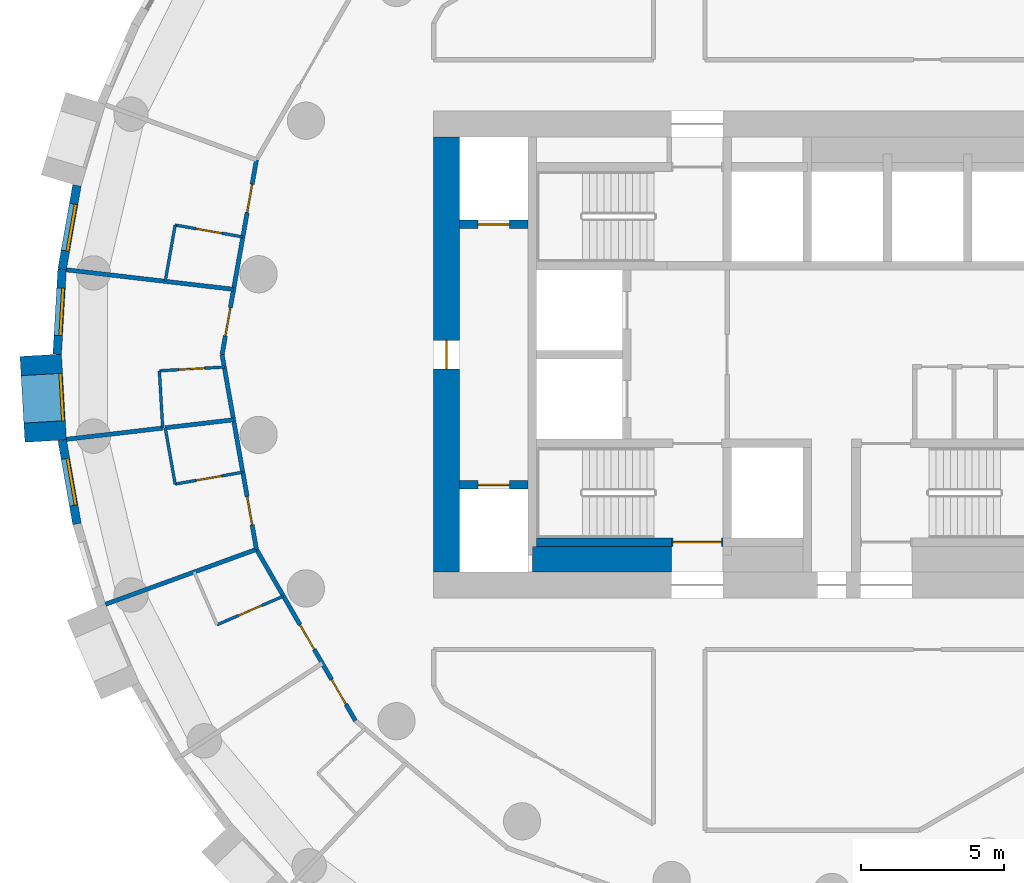
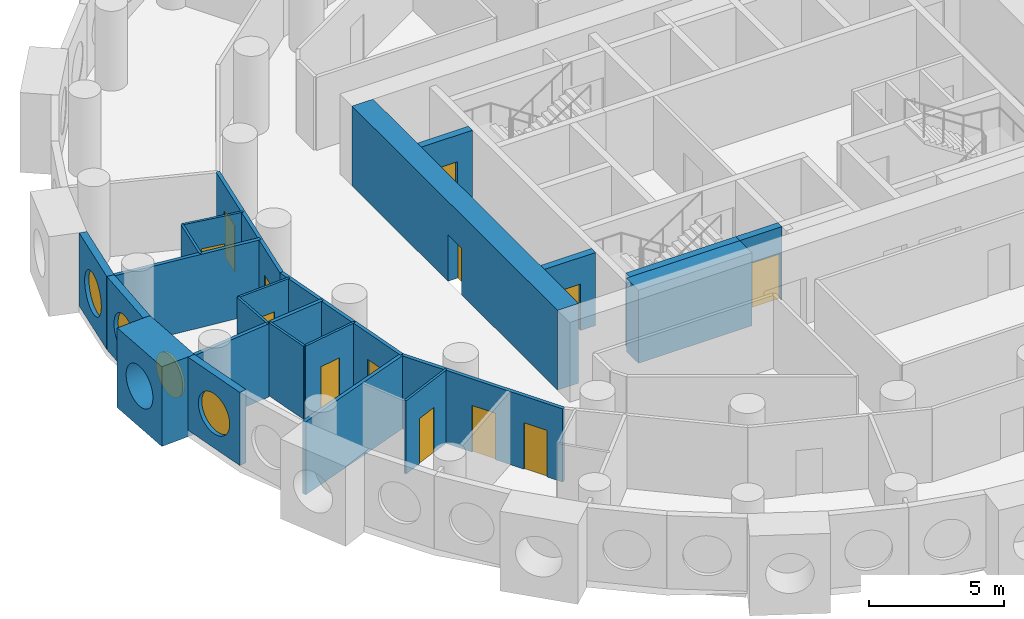
# One storey, part 3 of 9: 25 walls, 13 doors, 4 windows, 17 openings.
"""IFC4 building model written with IfcOpenShell, lengths in metres."""

from ifc_helpers import new_model, si_unit, direction, frame, frame_2d, origin, origin_2d, place, context, subcontext, project, spatial, rectangle, circle, extrude, material, layer, layer_set, type_object, element, fill, save


model = new_model("IFC4")

# Units and contexts
model_context = context("Model", 3, precision=1e-05, world=origin(), true_north=direction((0.0, 1.0)))
body_context = subcontext(model_context, "Body", "Model", "MODEL_VIEW")
ifc_project = project(units=[si_unit("LENGTHUNIT", "METRE"), si_unit("AREAUNIT", "SQUARE_METRE"), si_unit("VOLUMEUNIT", "CUBIC_METRE"), si_unit("PLANEANGLEUNIT", "RADIAN"), si_unit("MASSUNIT", "GRAM", prefix="KILO")], contexts=[model_context])

# Site, building, storey
site_placement = place(None, origin())
site = spatial("IfcSite", under=ifc_project, at=site_placement, CompositionType="ELEMENT")
building_placement = place(site_placement, origin())
building = spatial("IfcBuilding", under=site, at=building_placement, Name="Tracery Tower", CompositionType="ELEMENT")
storey_placement = place(building_placement, frame((0.0, 0.0, 201.60009765625)))
storey = spatial("IfcBuildingStorey", under=building, at=storey_placement, Name="L52", CompositionType="ELEMENT", Elevation=201.60009765625)

# Wall
ifc_material_1 = material(Name="Concrete C50/60", Category="concrete")
ifc_layer_1 = layer(ifc_material_1, 0.89990234375)
ifc_layer_set_1 = layer_set([ifc_layer_1], Name="Core strip wall 900 C50")
wall_type_1 = type_object("IfcWallType", Name="Core strip wall 900 C50", PredefinedType="SOLIDWALL", material=ifc_layer_set_1)
wall_1_placement = place(storey_placement, frame((-9.050048828125, -7.14990234375, 0.0), z_axis=(0.0, 0.0, 1.0), x_axis=(1.0, 0.0, 0.0)))
element("IfcWall", 1, at=wall_1_placement, inside=storey, type_object=wall_type_1, Name="L52 F thick S W", PredefinedType="SOLIDWALL", context=body_context, shape_type="SweptSolid", body=[
    extrude(rectangle(XDim=4.85009765625, YDim=0.89990234375, at=frame_2d((2.425048828125, 0.0))), origin(), (0.0, 0.0, 1.0), 3.2998046875),
])

# Wall, opening, door
ifc_material_2 = material(Name="Concrete C50/60", Category="concrete")
ifc_layer_2 = layer(ifc_material_2, 0.89990234375)
ifc_layer_set_2 = layer_set([ifc_layer_2], Name="Core wall 900 C50")
wall_type_2 = type_object("IfcWallType", Name="Core wall 900 C50", PredefinedType="SOLIDWALL", material=ifc_layer_set_2)
wall_2_placement = place(storey_placement, frame((-12.050048828125, -7.60009765625, 0.0), z_axis=(0.0, 0.0, 1.0), x_axis=(0.0, 1.0, 0.0)))
wall_2 = element("IfcWall", 2, at=wall_2_placement, inside=storey, type_object=wall_type_2, Name="L52 outer W", PredefinedType="SOLIDWALL", context=body_context, shape_type="SweptSolid", body=[
    extrude(rectangle(XDim=15.2001953125, YDim=0.89990234375, at=frame_2d((7.60009765625, 0.0))), origin(), (0.0, 0.0, 1.0), 3.599853515625),
])
opening_1_placement = place(wall_2_placement, frame((7.10009765625, 0.0, 0.0)))
opening_1 = element("IfcOpeningElement", 3, at=opening_1_placement, cuts=wall_2, Name="Opening KD18", PredefinedType="OPENING", context=body_context, shape_type="SweptSolid", body=[
    extrude(rectangle(XDim=1.0, YDim=2.10009765625, at=frame_2d((0.5, 1.050048828125))), frame((0.0, 0.449951171875, 0.0), z_axis=(0.0, -1.0, 0.0), x_axis=(1.0, 0.0, 0.0)), (0.0, 0.0, 1.0), 0.89990234375),
])
ifc_material_3 = material(Name="Steel fire door", Category="steel")
door_type_1 = type_object("IfcDoorType", Name="Core exit door 1000", OperationType="NOTDEFINED", PredefinedType="DOOR", material=ifc_material_3)
door_1_placement = place(opening_1_placement, origin())
door_1 = element("IfcDoor", 4, at=door_1_placement, inside=storey, type_object=door_type_1, Name="Core exit door", OperationType="DOUBLE_DOOR_SINGLE_SWING", OverallHeight=2.10009765625, OverallWidth=1.0, PredefinedType="DOOR", context=body_context, shape_type="SweptSolid", body=[
    extrude(rectangle(XDim=1.0, YDim=2.10009765625, at=frame_2d((0.5, 1.050048828125))), frame((0.0, 0.02490234375, 0.0), z_axis=(0.0, -1.0, 0.0), x_axis=(1.0, 0.0, 0.0)), (0.0, 0.0, 1.0), 0.050048828125),
])
fill(opening_1, door_1)

# Wall, opening, window
ifc_material_4 = material(Name="Precast concrete C50/60", Category="concrete")
ifc_layer_3 = layer(ifc_material_4, 1.449951171875)
ifc_layer_set_3 = layer_set([ifc_layer_3], Name="Deep-set bay unit 3000 x 3600, slab edge 300")
wall_type_3 = type_object("IfcWallType", Name="Deep-set bay unit 3000 x 3600, slab edge 300", PredefinedType="ELEMENTEDWALL", material=ifc_layer_set_3)
wall_3_placement = place(storey_placement, frame((-26.221923828125, -0.024658203125, -0.300048828125), z_axis=(0.0, 0.0, 1.0), x_axis=(0.058106596105, -0.998310384344, 0.0)))
wall_3 = element("IfcWall", 5, at=wall_3_placement, inside=storey, type_object=wall_type_3, Name="Deep-set bay unit 28 at L52", PredefinedType="ELEMENTEDWALL", context=body_context, shape_type="SweptSolid", body=[
    extrude(rectangle(XDim=3.0, YDim=1.449951171875, at=frame_2d((1.5, 0.0))), origin(), (0.0, 0.0, 1.0), 3.599853515625),
])
opening_2_placement = place(wall_3_placement, frame((1.5, 0.0, 1.85009765625)))
opening_2 = element("IfcOpeningElement", 6, at=opening_2_placement, cuts=wall_3, Name="Opening WN1", PredefinedType="OPENING", context=body_context, shape_type="SweptSolid", body=[
    extrude(circle(Radius=0.9000244140625, at=origin_2d()), frame((0.0, 0.73486328125, 0.0), z_axis=(0.0, -1.0, 0.0), x_axis=(1.0, 0.0, 0.0)), (0.0, 0.0, 1.0), 1.469970703125),
])
ifc_material_5 = material(Name="Aluminium frame with tinted double glazing", Category="aluminium")
window_type = type_object("IfcWindowType", Name="Round window 1800", PartitioningType="SINGLE_PANEL", PredefinedType="WINDOW", material=ifc_material_5)
window_1_placement = place(opening_2_placement, origin())
window_1 = element("IfcWindow", 7, at=window_1_placement, inside=storey, type_object=window_type, Name="Round window 28 at L52", OverallHeight=1.800048828125, OverallWidth=1.800048828125, PartitioningType="SINGLE_PANEL", PredefinedType="WINDOW", context=body_context, shape_type="SweptSolid", body=[
    extrude(circle(Radius=0.9000244140625, at=origin_2d()), frame((0.0, 0.69482421875, 0.0), z_axis=(0.0, -1.0, 0.0), x_axis=(1.0, 0.0, 0.0)), (0.0, 0.0, 1.0), 0.10009765625),
])
fill(opening_2, window_1)

ifc_material_6 = material(Name="Precast concrete C50/60", Category="concrete")
ifc_layer_4 = layer(ifc_material_6, 0.300048828125)
ifc_layer_set_4 = layer_set([ifc_layer_4], Name="Facade panel 3000 x 3300")
wall_type_4 = type_object("IfcWallType", Name="Facade panel 3000 x 3300", PredefinedType="SOLIDWALL", material=ifc_layer_set_4)
wall_4_placement = place(storey_placement, frame((-24.957763671875, 5.9052734375, 0.0), z_axis=(0.0, 0.0, 1.0), x_axis=(-0.173686952598, -0.984800915159, 0.0)))
wall_4 = element("IfcWall", 8, at=wall_4_placement, inside=storey, type_object=wall_type_4, Name="Facade panel 26 at L52", PredefinedType="SOLIDWALL", context=body_context, shape_type="SweptSolid", body=[
    extrude(rectangle(XDim=2.972900390625, YDim=0.300048828125, at=frame_2d((1.486328125, 0.0))), origin(), (0.0, 0.0, 1.0), 3.2998046875),
])
opening_3_placement = place(wall_4_placement, frame((1.486328125, 0.0, 1.5498046875)))
opening_3 = element("IfcOpeningElement", 9, at=opening_3_placement, cuts=wall_4, Name="Opening WN1", PredefinedType="OPENING", context=body_context, shape_type="SweptSolid", body=[
    extrude(circle(Radius=0.9000244140625, at=origin_2d()), frame((0.0, 0.159912109375, 0.0), z_axis=(0.0, -1.0, 0.0), x_axis=(1.0, 0.0, 0.0)), (0.0, 0.0, 1.0), 0.320068359375),
])
window_2_placement = place(opening_3_placement, origin())
window_2 = element("IfcWindow", 10, at=window_2_placement, inside=storey, type_object=window_type, Name="Round window 26 at L52", OverallHeight=1.800048828125, OverallWidth=1.800048828125, PartitioningType="SINGLE_PANEL", PredefinedType="WINDOW", context=body_context, shape_type="SweptSolid", body=[
    extrude(circle(Radius=0.9000244140625, at=origin_2d()), frame((0.0, 0.1201171875, 0.0), z_axis=(0.0, -1.0, 0.0), x_axis=(1.0, 0.0, 0.0)), (0.0, 0.0, 1.0), 0.10009765625),
])
fill(opening_3, window_2)

wall_5_placement = place(storey_placement, frame((-25.47412109375, 2.9775390625, 0.0), z_axis=(0.0, 0.0, 1.0), x_axis=(-0.058139540521, -0.998308466271, 0.0)))
wall_5 = element("IfcWall", 11, at=wall_5_placement, inside=storey, type_object=wall_type_4, Name="Facade panel 27 at L52", PredefinedType="SOLIDWALL", context=body_context, shape_type="SweptSolid", body=[
    extrude(rectangle(XDim=2.97314453125, YDim=0.300048828125, at=frame_2d((1.486572265625, 0.0))), origin(), (0.0, 0.0, 1.0), 3.2998046875),
])
opening_4_placement = place(wall_5_placement, frame((1.486328125, 0.0, 1.5498046875)))
opening_4 = element("IfcOpeningElement", 12, at=opening_4_placement, cuts=wall_5, Name="Opening WN1", PredefinedType="OPENING", context=body_context, shape_type="SweptSolid", body=[
    extrude(circle(Radius=0.9000244140625, at=origin_2d()), frame((0.0, 0.159912109375, 0.0), z_axis=(0.0, -1.0, 0.0), x_axis=(1.0, 0.0, 0.0)), (0.0, 0.0, 1.0), 0.320068359375),
])
window_3_placement = place(opening_4_placement, origin())
window_3 = element("IfcWindow", 13, at=window_3_placement, inside=storey, type_object=window_type, Name="Round window 27 at L52", OverallHeight=1.800048828125, OverallWidth=1.800048828125, PartitioningType="SINGLE_PANEL", PredefinedType="WINDOW", context=body_context, shape_type="SweptSolid", body=[
    extrude(circle(Radius=0.9000244140625, at=origin_2d()), frame((0.0, 0.1201171875, 0.0), z_axis=(0.0, -1.0, 0.0), x_axis=(1.0, 0.0, 0.0)), (0.0, 0.0, 1.0), 0.10009765625),
])
fill(opening_4, window_3)

wall_6_placement = place(storey_placement, frame((-25.472412109375, -2.987060546875, 0.0), z_axis=(0.0, 0.0, 1.0), x_axis=(0.173686952598, -0.984800915159, 0.0)))
wall_6 = element("IfcWall", 14, at=wall_6_placement, inside=storey, type_object=wall_type_4, Name="Facade panel 29 at L52", PredefinedType="SOLIDWALL", context=body_context, shape_type="SweptSolid", body=[
    extrude(rectangle(XDim=2.972900390625, YDim=0.300048828125, at=frame_2d((1.486328125, 0.0))), origin(), (0.0, 0.0, 1.0), 3.2998046875),
])
opening_5_placement = place(wall_6_placement, frame((1.486328125, 0.0, 1.5498046875)))
opening_5 = element("IfcOpeningElement", 15, at=opening_5_placement, cuts=wall_6, Name="Opening WN1", PredefinedType="OPENING", context=body_context, shape_type="SweptSolid", body=[
    extrude(circle(Radius=0.9000244140625, at=origin_2d()), frame((0.0, 0.159912109375, 0.0), z_axis=(0.0, -1.0, 0.0), x_axis=(1.0, 0.0, 0.0)), (0.0, 0.0, 1.0), 0.320068359375),
])
window_4_placement = place(opening_5_placement, origin())
window_4 = element("IfcWindow", 16, at=window_4_placement, inside=storey, type_object=window_type, Name="Round window 29 at L52", OverallHeight=1.800048828125, OverallWidth=1.800048828125, PartitioningType="SINGLE_PANEL", PredefinedType="WINDOW", context=body_context, shape_type="SweptSolid", body=[
    extrude(circle(Radius=0.9000244140625, at=origin_2d()), frame((0.0, 0.1201171875, 0.0), z_axis=(0.0, -1.0, 0.0), x_axis=(1.0, 0.0, 0.0)), (0.0, 0.0, 1.0), 0.10009765625),
])
fill(opening_5, window_4)

# Wall, opening, door
ifc_material_7 = material(Name="Plasterboard on steel studs", Category="steel")
ifc_layer_5 = layer(ifc_material_7, 0.10009765625)
ifc_layer_set_5 = layer_set([ifc_layer_5], Name="Partition 100 wet wall")
wall_type_5 = type_object("IfcWallType", Name="Partition 100 wet wall", PredefinedType="PARTITIONING", material=ifc_layer_set_5)
wall_7_placement = place(storey_placement, frame((-21.527099609375, 4.52392578125, 0.0), z_axis=(0.0, 0.0, 1.0), x_axis=(0.9848663854, -0.173315327969, 0.0)))
wall_7 = element("IfcWall", 17, at=wall_7_placement, inside=storey, type_object=wall_type_5, Name="Wet wall RB8-045", PredefinedType="PARTITIONING", context=body_context, shape_type="SweptSolid", body=[
    extrude(rectangle(XDim=2.400390625, YDim=0.10009765625, at=frame_2d((1.2001953125, 0.0))), origin(), (0.0, 0.0, 1.0), 3.2998046875),
])
opening_6_placement = place(wall_7_placement, frame((0.750244140625, 0.0, 0.0)))
opening_6 = element("IfcOpeningElement", 18, at=opening_6_placement, cuts=wall_7, Name="Opening RB8-09", PredefinedType="OPENING", context=body_context, shape_type="SweptSolid", body=[
    extrude(rectangle(XDim=0.89990234375, YDim=2.0400390625, at=frame_2d((0.449951171875, 1.02001953125))), frame((0.0, 0.050048828125, 0.0), z_axis=(0.0, -1.0, 0.0), x_axis=(1.0, 0.0, 0.0)), (0.0, 0.0, 1.0), 0.10009765625),
])
ifc_material_8 = material(Name="Timber door leaf", Category="wood")
door_type_2 = type_object("IfcDoorType", Name="Door en-suite 900", OperationType="NOTDEFINED", PredefinedType="DOOR", material=ifc_material_8)
door_2_placement = place(opening_6_placement, origin())
door_2 = element("IfcDoor", 19, at=door_2_placement, inside=storey, type_object=door_type_2, Name="En-suite door RB8-09", OperationType="SINGLE_SWING_LEFT", OverallHeight=2.0400390625, OverallWidth=0.89990234375, PredefinedType="DOOR", context=body_context, shape_type="SweptSolid", body=[
    extrude(rectangle(XDim=0.89990234375, YDim=2.0400390625, at=frame_2d((0.449951171875, 1.02001953125))), frame((0.0, 0.02490234375, 0.0), z_axis=(0.0, -1.0, 0.0), x_axis=(1.0, 0.0, 0.0)), (0.0, 0.0, 1.0), 0.050048828125),
])
fill(opening_6, door_2)

# Wall
wall_8_placement = place(storey_placement, frame((-21.8740234375, 2.556884765625, 0.0), z_axis=(0.0, 0.0, 1.0), x_axis=(0.17368771375, 0.984800780916, 0.0)))
element("IfcWall", 20, at=wall_8_placement, inside=storey, type_object=wall_type_5, Name="Wet wall RB8-046", PredefinedType="PARTITIONING", context=body_context, shape_type="SweptSolid", body=[
    extrude(rectangle(XDim=1.997314453125, YDim=0.10009765625, at=frame_2d((0.99853515625, 0.0))), origin(), (0.0, 0.0, 1.0), 3.2998046875),
])

# Wall, opening, door
wall_9_placement = place(storey_placement, frame((-22.0791015625, -0.56689453125, 0.0), z_axis=(0.0, 0.0, 1.0), x_axis=(0.998314893836, 0.058029068102, 0.0)))
wall_9 = element("IfcWall", 21, at=wall_9_placement, inside=storey, type_object=wall_type_5, Name="Wet wall RB8-048", PredefinedType="PARTITIONING", context=body_context, shape_type="SweptSolid", body=[
    extrude(rectangle(XDim=2.27197265625, YDim=0.10009765625, at=frame_2d((1.135986328125, 0.0))), origin(), (0.0, 0.0, 1.0), 3.2998046875),
])
opening_7_placement = place(wall_9_placement, frame((0.685791015625, 0.0, 0.0)))
opening_7 = element("IfcOpeningElement", 22, at=opening_7_placement, cuts=wall_9, Name="Opening RB8-11", PredefinedType="OPENING", context=body_context, shape_type="SweptSolid", body=[
    extrude(rectangle(XDim=0.89990234375, YDim=2.0400390625, at=frame_2d((0.449951171875, 1.02001953125))), frame((0.0, 0.050048828125, 0.0), z_axis=(0.0, -1.0, 0.0), x_axis=(1.0, 0.0, 0.0)), (0.0, 0.0, 1.0), 0.10009765625),
])
door_3_placement = place(opening_7_placement, origin())
door_3 = element("IfcDoor", 23, at=door_3_placement, inside=storey, type_object=door_type_2, Name="En-suite door RB8-11", OperationType="SINGLE_SWING_RIGHT", OverallHeight=2.0400390625, OverallWidth=0.89990234375, PredefinedType="DOOR", context=body_context, shape_type="SweptSolid", body=[
    extrude(rectangle(XDim=0.89990234375, YDim=2.0400390625, at=frame_2d((0.449951171875, 1.02001953125))), frame((0.0, 0.02490234375, 0.0), z_axis=(0.0, -1.0, 0.0), x_axis=(1.0, 0.0, 0.0)), (0.0, 0.0, 1.0), 0.050048828125),
])
fill(opening_7, door_3)

# Walls
wall_10_placement = place(storey_placement, frame((-22.0791015625, -0.56689453125, 0.0), z_axis=(0.0, 0.0, 1.0), x_axis=(0.058493425416, -0.998287793766, 0.0)))
element("IfcWall", 24, at=wall_10_placement, inside=storey, type_object=wall_type_5, Name="Wet wall RB8-049", PredefinedType="PARTITIONING", context=body_context, shape_type="SweptSolid", body=[
    extrude(rectangle(XDim=2.00341796875, YDim=0.10009765625, at=frame_2d((1.001708984375, 0.0))), origin(), (0.0, 0.0, 1.0), 3.2998046875),
])
wall_11_placement = place(storey_placement, frame((-21.8740234375, -2.556884765625, 0.0), z_axis=(0.0, 0.0, 1.0), x_axis=(0.17368771375, -0.984800780916, 0.0)))
element("IfcWall", 25, at=wall_11_placement, inside=storey, type_object=wall_type_5, Name="Wet wall RB8-052", PredefinedType="PARTITIONING", context=body_context, shape_type="SweptSolid", body=[
    extrude(rectangle(XDim=1.997314453125, YDim=0.10009765625, at=frame_2d((0.99853515625, 0.0))), origin(), (0.0, 0.0, 1.0), 3.2998046875),
])

# Wall, opening, door
wall_12_placement = place(storey_placement, frame((-21.527099609375, -4.52392578125, 0.0), z_axis=(0.0, 0.0, 1.0), x_axis=(0.9848663854, 0.173315327969, 0.0)))
wall_12 = element("IfcWall", 26, at=wall_12_placement, inside=storey, type_object=wall_type_5, Name="Wet wall RB8-053", PredefinedType="PARTITIONING", context=body_context, shape_type="SweptSolid", body=[
    extrude(rectangle(XDim=2.400390625, YDim=0.10009765625, at=frame_2d((1.2001953125, 0.0))), origin(), (0.0, 0.0, 1.0), 3.2998046875),
])
opening_8_placement = place(wall_12_placement, frame((0.75, 0.0, 0.0)))
opening_8 = element("IfcOpeningElement", 27, at=opening_8_placement, cuts=wall_12, Name="Opening RB8-13", PredefinedType="OPENING", context=body_context, shape_type="SweptSolid", body=[
    extrude(rectangle(XDim=0.89990234375, YDim=2.0400390625, at=frame_2d((0.449951171875, 1.02001953125))), frame((0.0, 0.050048828125, 0.0), z_axis=(0.0, -1.0, 0.0), x_axis=(1.0, 0.0, 0.0)), (0.0, 0.0, 1.0), 0.10009765625),
])
door_4_placement = place(opening_8_placement, origin())
door_4 = element("IfcDoor", 28, at=door_4_placement, inside=storey, type_object=door_type_2, Name="En-suite door RB8-13", OperationType="SINGLE_SWING_LEFT", OverallHeight=2.0400390625, OverallWidth=0.89990234375, PredefinedType="DOOR", context=body_context, shape_type="SweptSolid", body=[
    extrude(rectangle(XDim=0.89990234375, YDim=2.0400390625, at=frame_2d((0.449951171875, 1.02001953125))), frame((0.0, 0.02490234375, 0.0), z_axis=(0.0, -1.0, 0.0), x_axis=(1.0, 0.0, 0.0)), (0.0, 0.0, 1.0), 0.050048828125),
])
fill(opening_8, door_4)

wall_13_placement = place(storey_placement, frame((-20.06689453125, -9.43701171875, 0.0), z_axis=(0.0, 0.0, 1.0), x_axis=(0.918293825202, 0.395899546091, 0.0)))
wall_13 = element("IfcWall", 29, at=wall_13_placement, inside=storey, type_object=wall_type_5, Name="Wet wall RB8-056", PredefinedType="PARTITIONING", context=body_context, shape_type="SweptSolid", body=[
    extrude(rectangle(XDim=2.5283203125, YDim=0.10009765625, at=frame_2d((1.26416015625, 0.0))), origin(), (0.0, 0.0, 1.0), 3.2998046875),
])
opening_9_placement = place(wall_13_placement, frame((0.81396484375, 0.0, 0.0)))
opening_9 = element("IfcOpeningElement", 30, at=opening_9_placement, cuts=wall_13, Name="Opening RB8-15", PredefinedType="OPENING", context=body_context, shape_type="SweptSolid", body=[
    extrude(rectangle(XDim=0.89990234375, YDim=2.0400390625, at=frame_2d((0.449951171875, 1.02001953125))), frame((0.0, 0.050048828125, 0.0), z_axis=(0.0, -1.0, 0.0), x_axis=(1.0, 0.0, 0.0)), (0.0, 0.0, 1.0), 0.10009765625),
])
door_5_placement = place(opening_9_placement, origin())
door_5 = element("IfcDoor", 31, at=door_5_placement, inside=storey, type_object=door_type_2, Name="En-suite door RB8-15", OperationType="SINGLE_SWING_LEFT", OverallHeight=2.0400390625, OverallWidth=0.89990234375, PredefinedType="DOOR", context=body_context, shape_type="SweptSolid", body=[
    extrude(rectangle(XDim=0.89990234375, YDim=2.0400390625, at=frame_2d((0.449951171875, 1.02001953125))), frame((0.0, 0.02490234375, 0.0), z_axis=(0.0, -1.0, 0.0), x_axis=(1.0, 0.0, 0.0)), (0.0, 0.0, 1.0), 0.050048828125),
])
fill(opening_9, door_5)

# Walls
ifc_material_9 = material(Name="Plasterboard on steel studs", Category="steel")
ifc_layer_6 = layer(ifc_material_9, 0.14990234375)
ifc_layer_set_6 = layer_set([ifc_layer_6], Name="Partition 150 acoustic unit wall")
wall_type_6 = type_object("IfcWallType", Name="Partition 150 acoustic unit wall", PredefinedType="PARTITIONING", material=ifc_layer_set_6)
wall_14_placement = place(storey_placement, frame((-25.324951171875, 2.9599609375, 0.0), z_axis=(0.0, 0.0, 1.0), x_axis=(0.993249747924, -0.115995423397, 0.0)))
element("IfcWall", 32, at=wall_14_placement, inside=storey, type_object=wall_type_6, Name="Unit wall RB8-047", PredefinedType="PARTITIONING", context=body_context, shape_type="SweptSolid", body=[
    extrude(rectangle(XDim=5.878662109375, YDim=0.14990234375, at=frame_2d((2.939453125, 0.0))), origin(), (0.0, 0.0, 1.0), 3.2998046875),
])
wall_15_placement = place(storey_placement, frame((-25.324951171875, -2.9599609375, 0.0), z_axis=(0.0, 0.0, 1.0), x_axis=(0.993238911344, 0.11608817766, 0.0)))
element("IfcWall", 33, at=wall_15_placement, inside=storey, type_object=wall_type_6, Name="Unit wall RB8-050", PredefinedType="PARTITIONING", context=body_context, shape_type="SweptSolid", body=[
    extrude(rectangle(XDim=3.385986328125, YDim=0.14990234375, at=frame_2d((1.69287109375, 0.0))), origin(), (0.0, 0.0, 1.0), 3.2998046875),
])
wall_16_placement = place(storey_placement, frame((-21.8779296875, -2.556884765625, 0.0), z_axis=(0.0, 0.0, 1.0), x_axis=(0.99327460921, 0.115782341913, 0.0)))
element("IfcWall", 34, at=wall_16_placement, inside=storey, type_object=wall_type_6, Name="Unit wall RB8-051", PredefinedType="PARTITIONING", context=body_context, shape_type="SweptSolid", body=[
    extrude(rectangle(XDim=2.407958984375, YDim=0.14990234375, at=frame_2d((1.2041015625, 0.0))), origin(), (0.0, 0.0, 1.0), 3.2998046875),
])
wall_17_placement = place(storey_placement, frame((-23.9599609375, -8.720947265625, 0.0), z_axis=(0.0, 0.0, 1.0), x_axis=(0.939700637852, 0.341998115814, 0.0)))
element("IfcWall", 35, at=wall_17_placement, inside=storey, type_object=wall_type_6, Name="Unit wall RB8-054", PredefinedType="PARTITIONING", context=body_context, shape_type="SweptSolid", body=[
    extrude(rectangle(XDim=5.6103515625, YDim=0.14990234375, at=frame_2d((2.80517578125, 0.0))), origin(), (0.0, 0.0, 1.0), 3.2998046875),
])

# Wall, openings, doors
ifc_material_10 = material(Name="Plasterboard on steel studs", Category="steel")
ifc_layer_7 = layer(ifc_material_10, 0.14990234375)
ifc_layer_set_7 = layer_set([ifc_layer_7], Name="Partition 150 corridor wall")
wall_type_7 = type_object("IfcWallType", Name="Partition 150 corridor wall", PredefinedType="PARTITIONING", material=ifc_layer_set_7)
wall_18_placement = place(storey_placement, frame((-19.88818359375, 0.0, 0.0), z_axis=(0.0, 0.0, 1.0), x_axis=(0.173763153374, 0.984787472772, 0.0)))
wall_18 = element("IfcWall", 36, at=wall_18_placement, inside=storey, type_object=wall_type_7, Name="Corridor wall RB8-027", PredefinedType="PARTITIONING", context=body_context, shape_type="SweptSolid", body=[
    extrude(rectangle(XDim=6.906982421875, YDim=0.14990234375, at=frame_2d((3.45361328125, 0.0))), origin(), (0.0, 0.0, 1.0), 3.2998046875),
])
opening_10_placement = place(wall_18_placement, frame((5.037353515625, 0.0, 0.0)))
opening_10 = element("IfcOpeningElement", 37, at=opening_10_placement, cuts=wall_18, Name="Opening RB8-10", PredefinedType="OPENING", context=body_context, shape_type="SweptSolid", body=[
    extrude(rectangle(XDim=1.0, YDim=2.10009765625, at=frame_2d((0.5, 1.050048828125))), frame((0.0, 0.074951171875, 0.0), z_axis=(0.0, -1.0, 0.0), x_axis=(1.0, 0.0, 0.0)), (0.0, 0.0, 1.0), 0.14990234375),
])
opening_11_placement = place(wall_18_placement, frame((0.658935546875, 0.0, 0.0)))
opening_11 = element("IfcOpeningElement", 38, at=opening_11_placement, cuts=wall_18, Name="Opening RB8-12", PredefinedType="OPENING", context=body_context, shape_type="SweptSolid", body=[
    extrude(rectangle(XDim=1.0, YDim=2.10009765625, at=frame_2d((0.5, 1.050048828125))), frame((0.0, 0.074951171875, 0.0), z_axis=(0.0, -1.0, 0.0), x_axis=(1.0, 0.0, 0.0)), (0.0, 0.0, 1.0), 0.14990234375),
])
ifc_material_11 = material(Name="Timber door leaf", Category="wood")
door_type_3 = type_object("IfcDoorType", Name="Door unit entrance 1000", OperationType="NOTDEFINED", PredefinedType="DOOR", material=ifc_material_11)
door_6_placement = place(opening_10_placement, origin())
door_6 = element("IfcDoor", 39, at=door_6_placement, inside=storey, type_object=door_type_3, Name="Unit entrance door RB8-10", OperationType="SINGLE_SWING_RIGHT", OverallHeight=2.10009765625, OverallWidth=1.0, PredefinedType="DOOR", context=body_context, shape_type="SweptSolid", body=[
    extrude(rectangle(XDim=1.0, YDim=2.10009765625, at=frame_2d((0.5, 1.050048828125))), frame((0.0, 0.02490234375, 0.0), z_axis=(0.0, -1.0, 0.0), x_axis=(1.0, 0.0, 0.0)), (0.0, 0.0, 1.0), 0.050048828125),
])
fill(opening_10, door_6)
door_7_placement = place(opening_11_placement, origin())
door_7 = element("IfcDoor", 40, at=door_7_placement, inside=storey, type_object=door_type_3, Name="Unit entrance door RB8-12", OperationType="SINGLE_SWING_RIGHT", OverallHeight=2.10009765625, OverallWidth=1.0, PredefinedType="DOOR", context=body_context, shape_type="SweptSolid", body=[
    extrude(rectangle(XDim=1.0, YDim=2.10009765625, at=frame_2d((0.5, 1.050048828125))), frame((0.0, 0.02490234375, 0.0), z_axis=(0.0, -1.0, 0.0), x_axis=(1.0, 0.0, 0.0)), (0.0, 0.0, 1.0), 0.050048828125),
])
fill(opening_11, door_7)

# Wall
wall_19_placement = place(storey_placement, frame((-19.887939453125, 0.0, 0.0), z_axis=(0.0, 0.0, 1.0), x_axis=(0.1727845501, -0.984959643461, 0.0)))
element("IfcWall", 41, at=wall_19_placement, inside=storey, type_object=wall_type_7, Name="Corridor wall RB8-028", PredefinedType="PARTITIONING", context=body_context, shape_type="SweptSolid", body=[
    extrude(rectangle(XDim=4.17529296875, YDim=0.14990234375, at=frame_2d((2.087646484375, 0.0))), origin(), (0.0, 0.0, 1.0), 3.2998046875),
])

# Wall, opening, door
wall_20_placement = place(storey_placement, frame((-19.1640625, -4.10400390625, 0.0), z_axis=(0.0, 0.0, 1.0), x_axis=(0.173770083029, -0.984786250028, 0.0)))
wall_20 = element("IfcWall", 42, at=wall_20_placement, inside=storey, type_object=wall_type_7, Name="Corridor wall RB8-029", PredefinedType="PARTITIONING", context=body_context, shape_type="SweptSolid", body=[
    extrude(rectangle(XDim=2.73974609375, YDim=0.14990234375, at=frame_2d((1.369873046875, 0.0))), origin(), (0.0, 0.0, 1.0), 3.2998046875),
])
opening_12_placement = place(wall_20_placement, frame((0.86962890625, 0.0, 0.0)))
opening_12 = element("IfcOpeningElement", 43, at=opening_12_placement, cuts=wall_20, Name="Opening RB8-14", PredefinedType="OPENING", context=body_context, shape_type="SweptSolid", body=[
    extrude(rectangle(XDim=1.0, YDim=2.10009765625, at=frame_2d((0.5, 1.050048828125))), frame((0.0, 0.074951171875, 0.0), z_axis=(0.0, -1.0, 0.0), x_axis=(1.0, 0.0, 0.0)), (0.0, 0.0, 1.0), 0.14990234375),
])
door_8_placement = place(opening_12_placement, origin())
door_8 = element("IfcDoor", 44, at=door_8_placement, inside=storey, type_object=door_type_3, Name="Unit entrance door RB8-14", OperationType="SINGLE_SWING_RIGHT", OverallHeight=2.10009765625, OverallWidth=1.0, PredefinedType="DOOR", context=body_context, shape_type="SweptSolid", body=[
    extrude(rectangle(XDim=1.0, YDim=2.10009765625, at=frame_2d((0.5, 1.050048828125))), frame((0.0, 0.02490234375, 0.0), z_axis=(0.0, -1.0, 0.0), x_axis=(1.0, 0.0, 0.0)), (0.0, 0.0, 1.0), 0.050048828125),
])
fill(opening_12, door_8)

# Wall, openings, doors
wall_21_placement = place(storey_placement, frame((-18.68798828125, -6.802001953125, 0.0), z_axis=(0.0, 0.0, 1.0), x_axis=(0.500009041241, -0.866020183759, 0.0)))
wall_21 = element("IfcWall", 45, at=wall_21_placement, inside=storey, type_object=wall_type_7, Name="Corridor wall RB8-030", PredefinedType="PARTITIONING", context=body_context, shape_type="SweptSolid", body=[
    extrude(rectangle(XDim=6.906982421875, YDim=0.14990234375, at=frame_2d((3.45361328125, 0.0))), origin(), (0.0, 0.0, 1.0), 3.2998046875),
])
opening_13_placement = place(wall_21_placement, frame((3.0400390625, 0.0, 0.0)))
opening_13 = element("IfcOpeningElement", 46, at=opening_13_placement, cuts=wall_21, Name="Opening RB8-16", PredefinedType="OPENING", context=body_context, shape_type="SweptSolid", body=[
    extrude(rectangle(XDim=1.0, YDim=2.10009765625, at=frame_2d((0.5, 1.050048828125))), frame((0.0, 0.074951171875, 0.0), z_axis=(0.0, -1.0, 0.0), x_axis=(1.0, 0.0, 0.0)), (0.0, 0.0, 1.0), 0.14990234375),
])
opening_14_placement = place(wall_21_placement, frame((5.2490234375, 0.0, 0.0)))
opening_14 = element("IfcOpeningElement", 47, at=opening_14_placement, cuts=wall_21, Name="Opening RB8-18", PredefinedType="OPENING", context=body_context, shape_type="SweptSolid", body=[
    extrude(rectangle(XDim=1.0, YDim=2.10009765625, at=frame_2d((0.5, 1.050048828125))), frame((0.0, 0.074951171875, 0.0), z_axis=(0.0, -1.0, 0.0), x_axis=(1.0, 0.0, 0.0)), (0.0, 0.0, 1.0), 0.14990234375),
])
door_9_placement = place(opening_13_placement, origin())
door_9 = element("IfcDoor", 48, at=door_9_placement, inside=storey, type_object=door_type_3, Name="Unit entrance door RB8-16", OperationType="SINGLE_SWING_LEFT", OverallHeight=2.10009765625, OverallWidth=1.0, PredefinedType="DOOR", context=body_context, shape_type="SweptSolid", body=[
    extrude(rectangle(XDim=1.0, YDim=2.10009765625, at=frame_2d((0.5, 1.050048828125))), frame((0.0, 0.02490234375, 0.0), z_axis=(0.0, -1.0, 0.0), x_axis=(1.0, 0.0, 0.0)), (0.0, 0.0, 1.0), 0.050048828125),
])
fill(opening_13, door_9)
door_10_placement = place(opening_14_placement, origin())
door_10 = element("IfcDoor", 49, at=door_10_placement, inside=storey, type_object=door_type_3, Name="Unit entrance door RB8-18", OperationType="SINGLE_SWING_LEFT", OverallHeight=2.10009765625, OverallWidth=1.0, PredefinedType="DOOR", context=body_context, shape_type="SweptSolid", body=[
    extrude(rectangle(XDim=1.0, YDim=2.10009765625, at=frame_2d((0.5, 1.050048828125))), frame((0.0, 0.02490234375, 0.0), z_axis=(0.0, -1.0, 0.0), x_axis=(1.0, 0.0, 0.0)), (0.0, 0.0, 1.0), 0.050048828125),
])
fill(opening_14, door_10)

# Wall, opening, door
ifc_material_12 = material(Name="Concrete C50/60", Category="concrete")
ifc_layer_8 = layer(ifc_material_12, 0.300048828125)
ifc_layer_set_8 = layer_set([ifc_layer_8], Name="Shaft wall 300 C50")
wall_type_8 = type_object("IfcWallType", Name="Shaft wall 300 C50", PredefinedType="SOLIDWALL", material=ifc_layer_set_8)
wall_22_placement = place(storey_placement, frame((-11.60009765625, -4.550048828125, 0.0), z_axis=(0.0, 0.0, 1.0), x_axis=(1.0, 0.0, 0.0)))
wall_22 = element("IfcWall", 50, at=wall_22_placement, inside=storey, type_object=wall_type_8, Name="L52 MR W -4.55", PredefinedType="SOLIDWALL", context=body_context, shape_type="SweptSolid", body=[
    extrude(rectangle(XDim=2.400146484375, YDim=0.300048828125, at=frame_2d((1.2001953125, 0.0))), origin(), (0.0, 0.0, 1.0), 3.2998046875),
])
opening_15_placement = place(wall_22_placement, frame((0.64990234375, 0.0, 0.0)))
opening_15 = element("IfcOpeningElement", 51, at=opening_15_placement, cuts=wall_22, Name="Opening KD50", PredefinedType="OPENING", context=body_context, shape_type="SweptSolid", body=[
    extrude(rectangle(XDim=1.10009765625, YDim=2.10009765625, at=frame_2d((0.550048828125, 1.050048828125))), frame((0.0, 0.14990234375, 0.0), z_axis=(0.0, -1.0, 0.0), x_axis=(1.0, 0.0, 0.0)), (0.0, 0.0, 1.0), 0.300048828125),
])
ifc_material_13 = material(Name="Steel fire door", Category="steel")
door_type_4 = type_object("IfcDoorType", Name="Landing door 1100", OperationType="NOTDEFINED", PredefinedType="DOOR", material=ifc_material_13)
door_11_placement = place(opening_15_placement, origin())
door_11 = element("IfcDoor", 52, at=door_11_placement, inside=storey, type_object=door_type_4, Name="Landing door MR1", OperationType="SLIDING_TO_RIGHT", OverallHeight=2.10009765625, OverallWidth=1.10009765625, PredefinedType="DOOR", context=body_context, shape_type="SweptSolid", body=[
    extrude(rectangle(XDim=1.10009765625, YDim=2.10009765625, at=frame_2d((0.550048828125, 1.050048828125))), frame((0.0, 0.02490234375, 0.0), z_axis=(0.0, -1.0, 0.0), x_axis=(1.0, 0.0, 0.0)), (0.0, 0.0, 1.0), 0.050048828125),
])
fill(opening_15, door_11)

wall_23_placement = place(storey_placement, frame((-11.60009765625, 4.550048828125, 0.0), z_axis=(0.0, 0.0, 1.0), x_axis=(1.0, 0.0, 0.0)))
wall_23 = element("IfcWall", 53, at=wall_23_placement, inside=storey, type_object=wall_type_8, Name="L52 MR W +4.55", PredefinedType="SOLIDWALL", context=body_context, shape_type="SweptSolid", body=[
    extrude(rectangle(XDim=2.400146484375, YDim=0.300048828125, at=frame_2d((1.2001953125, 0.0))), origin(), (0.0, 0.0, 1.0), 3.2998046875),
])
opening_16_placement = place(wall_23_placement, frame((0.64990234375, 0.0, 0.0)))
opening_16 = element("IfcOpeningElement", 54, at=opening_16_placement, cuts=wall_23, Name="Opening KD49", PredefinedType="OPENING", context=body_context, shape_type="SweptSolid", body=[
    extrude(rectangle(XDim=1.10009765625, YDim=2.10009765625, at=frame_2d((0.550048828125, 1.050048828125))), frame((0.0, 0.14990234375, 0.0), z_axis=(0.0, -1.0, 0.0), x_axis=(1.0, 0.0, 0.0)), (0.0, 0.0, 1.0), 0.300048828125),
])
door_12_placement = place(opening_16_placement, origin())
door_12 = element("IfcDoor", 55, at=door_12_placement, inside=storey, type_object=door_type_4, Name="Landing door MR2", OperationType="SLIDING_TO_LEFT", OverallHeight=2.10009765625, OverallWidth=1.10009765625, PredefinedType="DOOR", context=body_context, shape_type="SweptSolid", body=[
    extrude(rectangle(XDim=1.10009765625, YDim=2.10009765625, at=frame_2d((0.550048828125, 1.050048828125))), frame((0.0, 0.02490234375, 0.0), z_axis=(0.0, -1.0, 0.0), x_axis=(1.0, 0.0, 0.0)), (0.0, 0.0, 1.0), 0.050048828125),
])
fill(opening_16, door_12)

# Wall
ifc_material_14 = material(Name="Concrete C50/60", Category="concrete")
ifc_layer_9 = layer(ifc_material_14, 0.300048828125)
ifc_layer_set_9 = layer_set([ifc_layer_9], Name="Stair wall 300 C50")
wall_type_9 = type_object("IfcWallType", Name="Stair wall 300 C50", PredefinedType="SOLIDWALL", material=ifc_layer_set_9)
wall_24_placement = place(storey_placement, frame((-8.89990234375, -6.550048828125, 0.0), z_axis=(0.0, 0.0, 1.0), x_axis=(1.0, 0.0, 0.0)))
element("IfcWall", 56, at=wall_24_placement, inside=storey, type_object=wall_type_9, Name="L52 F stair strip S W", PredefinedType="SOLIDWALL", context=body_context, shape_type="SweptSolid", body=[
    extrude(rectangle(XDim=4.699951171875, YDim=0.300048828125, at=frame_2d((2.35009765625, 0.0))), origin(), (0.0, 0.0, 1.0), 3.2998046875),
])

# Wall, opening, door
wall_25_placement = place(storey_placement, frame((-4.199951171875, -6.550048828125, 0.0), z_axis=(0.0, 0.0, 1.0), x_axis=(1.0, 0.0, 0.0)))
wall_25 = element("IfcWall", 57, at=wall_25_placement, inside=storey, type_object=wall_type_9, Name="L52 F stair S W", PredefinedType="SOLIDWALL", context=body_context, shape_type="SweptSolid", body=[
    extrude(rectangle(XDim=1.800048828125, YDim=0.300048828125, at=frame_2d((0.89990234375, 0.0))), origin(), (0.0, 0.0, 1.0), 3.2998046875),
])
opening_17_placement = place(wall_25_placement, frame((0.050048828125, 0.0, 0.0)))
opening_17 = element("IfcOpeningElement", 58, at=opening_17_placement, cuts=wall_25, Name="Opening KD3", PredefinedType="OPENING", context=body_context, shape_type="SweptSolid", body=[
    extrude(rectangle(XDim=1.699951171875, YDim=2.10009765625, at=frame_2d((0.85009765625, 1.050048828125))), frame((0.0, 0.14990234375, 0.0), z_axis=(0.0, -1.0, 0.0), x_axis=(1.0, 0.0, 0.0)), (0.0, 0.0, 1.0), 0.300048828125),
])
ifc_material_15 = material(Name="Steel fire door", Category="steel")
door_type_5 = type_object("IfcDoorType", Name="Core stair door 1700 double", OperationType="NOTDEFINED", PredefinedType="DOOR", material=ifc_material_15)
door_13_placement = place(opening_17_placement, origin())
door_13 = element("IfcDoor", 59, at=door_13_placement, inside=storey, type_object=door_type_5, Name="Stair door vest", OperationType="DOUBLE_DOOR_SINGLE_SWING", OverallHeight=2.10009765625, OverallWidth=1.699951171875, PredefinedType="DOOR", context=body_context, shape_type="SweptSolid", body=[
    extrude(rectangle(XDim=1.699951171875, YDim=2.10009765625, at=frame_2d((0.85009765625, 1.050048828125))), frame((0.0, 0.02490234375, 0.0), z_axis=(0.0, -1.0, 0.0), x_axis=(1.0, 0.0, 0.0)), (0.0, 0.0, 1.0), 0.050048828125),
])
fill(opening_17, door_13)

save(model, "model.ifc")
